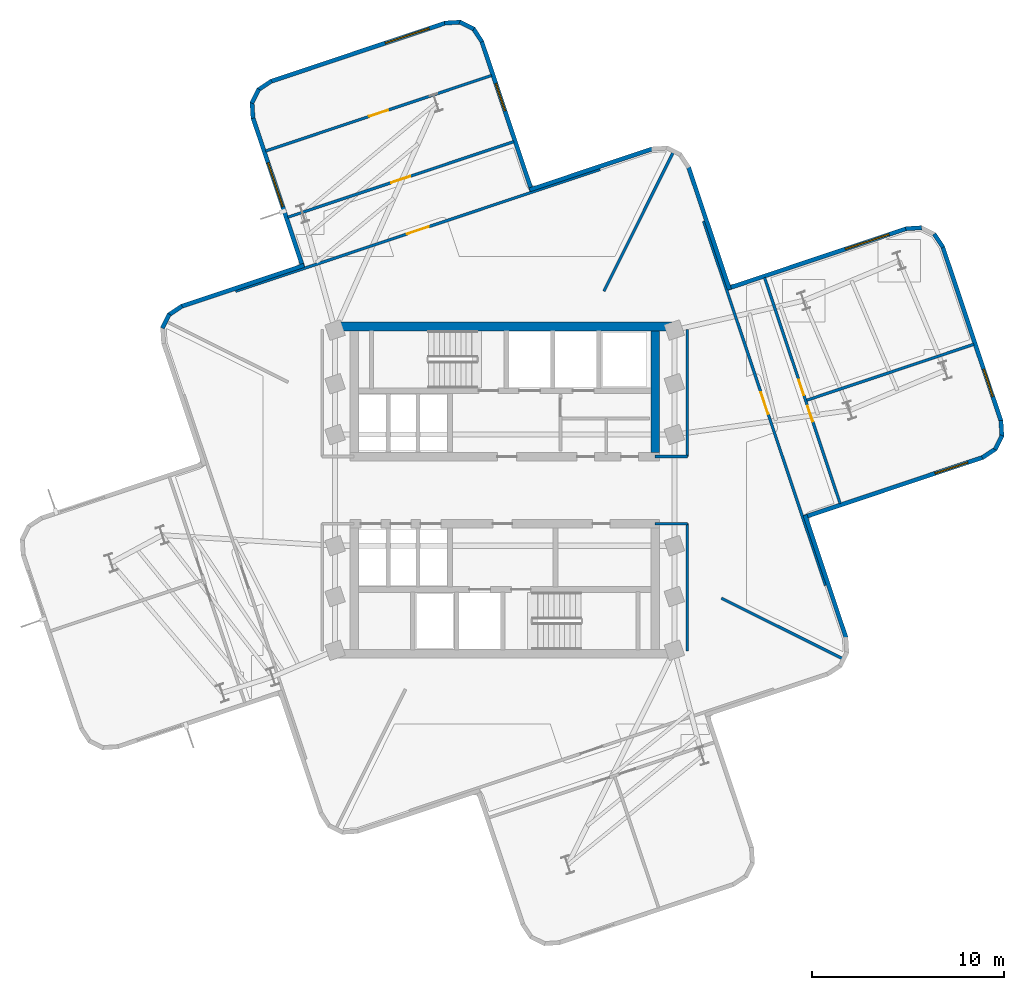
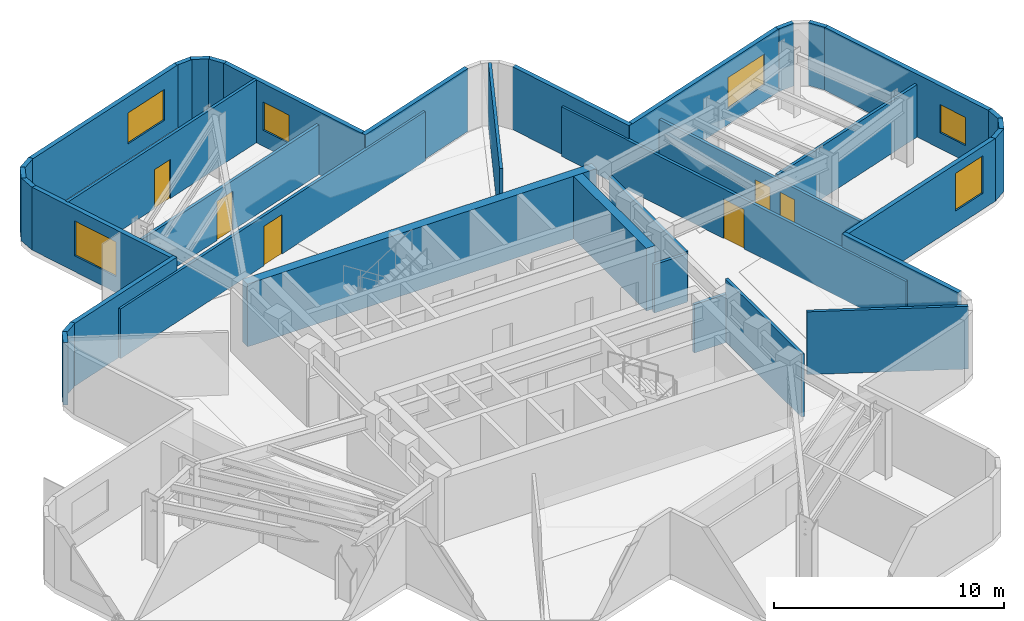
# One storey, part 4 of 8: 37 walls, 6 doors, 6 windows, 12 openings.
"""IFC4 building model written with IfcOpenShell, lengths in metres."""

from ifc_helpers import new_model, si_unit, direction, frame, frame_2d, origin, place, context, subcontext, project, spatial, rectangle, extrude, material, layer, layer_set, type_object, element, fill, save


model = new_model("IFC4")

# Units and contexts
model_context = context("Model", 3, precision=1e-05, world=origin(), true_north=direction((0.0, 1.0)))
body_context = subcontext(model_context, "Body", "Model", "MODEL_VIEW")
ifc_project = project(units=[si_unit("LENGTHUNIT", "METRE"), si_unit("AREAUNIT", "SQUARE_METRE"), si_unit("VOLUMEUNIT", "CUBIC_METRE"), si_unit("PLANEANGLEUNIT", "RADIAN"), si_unit("MASSUNIT", "GRAM", prefix="KILO")], contexts=[model_context])

# Site, building, storey
site_placement = place(None, origin())
site = spatial("IfcSite", under=ifc_project, at=site_placement, CompositionType="ELEMENT")
building_placement = place(site_placement, origin())
building = spatial("IfcBuilding", under=site, at=building_placement, Name="Solmarez Civic Tower", CompositionType="ELEMENT")
storey_placement = place(building_placement, frame((0.0, 0.0, 159.47998046875)))
storey = spatial("IfcBuildingStorey", under=building, at=storey_placement, Name="L42", CompositionType="ELEMENT", Elevation=159.47998046875)

# Walls
ifc_material_1 = material(Name="Concrete C50/60", Category="concrete")
ifc_layer_1 = layer(ifc_material_1, 0.449951171875)
ifc_layer_set_1 = layer_set([ifc_layer_1], Name="Concrete C50/60")
wall_type_1 = type_object("IfcWallType", Name="WALL-CORE-450", PredefinedType="SHEAR", material=ifc_layer_set_1)
wall_1_placement = place(storey_placement, frame((-8.780029296875, 8.534912109375, 0.0), z_axis=(0.0, 0.0, 1.0), x_axis=(1.0, 0.0, 0.0)))
element("IfcWall", 1, at=wall_1_placement, inside=storey, type_object=wall_type_1, Name="L42 Split-Core Structural Wall NCW-N-L42", PredefinedType="SHEAR", context=body_context, shape_type="SweptSolid", body=[
    extrude(rectangle(XDim=17.56005859375, YDim=0.449951171875, at=frame_2d((8.780029296875, 0.0))), origin(), (0.0, 0.0, 1.0), 3.340087890625),
])
wall_2_placement = place(storey_placement, frame((7.844970703125, 8.31005859375, 0.0), z_axis=(0.0, 0.0, 1.0), x_axis=(0.0, -1.0, 0.0)))
element("IfcWall", 2, at=wall_2_placement, inside=storey, type_object=wall_type_1, Name="L42 Split-Core Structural Wall NCW-E-L42", PredefinedType="SHEAR", context=body_context, shape_type="SweptSolid", body=[
    extrude(rectangle(XDim=6.3349609375, YDim=0.449951171875, at=frame_2d((3.16748046875, 0.0))), origin(), (0.0, 0.0, 1.0), 3.340087890625),
])
ifc_material_2 = material(Name="Precast concrete C40/50", Category="concrete")
ifc_layer_2 = layer(ifc_material_2, 0.219970703125)
ifc_layer_set_2 = layer_set([ifc_layer_2], Name="Precast concrete C40/50")
wall_type_2 = type_object("IfcWallType", Name="WALL-EXT-220", PredefinedType="SOLIDWALL", material=ifc_layer_set_2)
wall_3_placement = place(storey_placement, frame((-17.85693359375, 8.446044921875, 0.0), z_axis=(0.0, 0.0, 1.0), x_axis=(0.446258139106, 0.894904281631, 0.0)))
element("IfcWall", 3, at=wall_3_placement, inside=storey, type_object=wall_type_2, Name="L42 Exterior Precast Wall 15", PredefinedType="SOLIDWALL", context=body_context, shape_type="SweptSolid", body=[
    extrude(rectangle(XDim=0.81787109375, YDim=0.219970703125, at=frame_2d((0.408935546875, 0.0))), origin(), (0.0, 0.0, 1.0), 3.340087890625),
])
wall_4_placement = place(storey_placement, frame((-17.52392578125, 9.14208984375, 0.0), z_axis=(0.0, 0.0, 1.0), x_axis=(0.833756011094, 0.552133058206, 0.0)))
element("IfcWall", 4, at=wall_4_placement, inside=storey, type_object=wall_type_2, Name="L42 Exterior Precast Wall 16", PredefinedType="SOLIDWALL", context=body_context, shape_type="SweptSolid", body=[
    extrude(rectangle(XDim=0.834716796875, YDim=0.219970703125, at=frame_2d((0.41748046875, 0.0))), origin(), (0.0, 0.0, 1.0), 3.340087890625),
])
wall_5_placement = place(storey_placement, frame((-16.873046875, 9.5810546875, 0.0), z_axis=(0.0, 0.0, 1.0), x_axis=(0.94829606055, 0.317387116224, 0.0)))
element("IfcWall", 5, at=wall_5_placement, inside=storey, type_object=wall_type_2, Name="L42 Exterior Precast Wall 17", PredefinedType="SOLIDWALL", context=body_context, shape_type="SweptSolid", body=[
    extrude(rectangle(XDim=6.75830078125, YDim=0.219970703125, at=frame_2d((3.379150390625, 0.0))), origin(), (0.0, 0.0, 1.0), 3.340087890625),
])

# Wall, opening, window
wall_6_placement = place(storey_placement, frame((-10.51904296875, 11.614990234375, 0.0), z_axis=(0.0, 0.0, 1.0), x_axis=(-0.317229741122, 0.948348718219, 0.0)))
wall_6 = element("IfcWall", 6, at=wall_6_placement, inside=storey, type_object=wall_type_2, Name="L42 Exterior Precast Wall 20", PredefinedType="SOLIDWALL", context=body_context, shape_type="SweptSolid", body=[
    extrude(rectangle(XDim=8.258544921875, YDim=0.219970703125, at=frame_2d((4.12939453125, 0.0))), origin(), (0.0, 0.0, 1.0), 3.340087890625),
])
opening_1_placement = place(wall_6_placement, frame((3.35009765625, 0.0, 0.85009765625)))
opening_1 = element("IfcOpeningElement", 7, at=opening_1_placement, cuts=wall_6, Name="Opening W-06", PredefinedType="OPENING", context=body_context, shape_type="SweptSolid", body=[
    extrude(rectangle(XDim=2.39990234375, YDim=1.85009765625, at=frame_2d((1.199951171875, 0.925048828125))), frame((0.0, 0.119873046875, 0.0), z_axis=(0.0, -1.0, 0.0), x_axis=(1.0, 0.0, 0.0)), (0.0, 0.0, 1.0), 0.239990234375),
])
ifc_material_3 = material(Name="Solar Control Bronze-Tinted Insulating Glass", Category="glass")
window_type_1 = type_object("IfcWindowType", Name="WIN-2400X1850", PartitioningType="SINGLE_PANEL", PredefinedType="WINDOW", material=ifc_material_3)
window_1_placement = place(opening_1_placement, origin())
window_1 = element("IfcWindow", 8, at=window_1_placement, inside=storey, type_object=window_type_1, Name="L42 Exterior Facade Window 20", OverallHeight=1.85009765625, OverallWidth=2.39990234375, PartitioningType="SINGLE_PANEL", PredefinedType="WINDOW", context=body_context, shape_type="SweptSolid", body=[
    extrude(rectangle(XDim=2.39990234375, YDim=1.85009765625, at=frame_2d((1.199951171875, 0.925048828125))), frame((0.0, 0.030029296875, 0.0), z_axis=(0.0, -1.0, 0.0), x_axis=(1.0, 0.0, 0.0)), (0.0, 0.0, 1.0), 0.06005859375),
])
fill(opening_1, window_1)

# Walls
wall_7_placement = place(storey_placement, frame((-13.12890625, 19.39794921875, 0.0), z_axis=(0.0, 0.0, 1.0), x_axis=(-0.062378286155, 0.998052578483, 0.0)))
element("IfcWall", 9, at=wall_7_placement, inside=storey, type_object=wall_type_2, Name="L42 Exterior Precast Wall 21", PredefinedType="SOLIDWALL", context=body_context, shape_type="SweptSolid", body=[
    extrude(rectangle(XDim=0.833740234375, YDim=0.219970703125, at=frame_2d((0.4169921875, 0.0))), origin(), (0.0, 0.0, 1.0), 3.340087890625),
])
wall_8_placement = place(storey_placement, frame((-13.18994140625, 20.18310546875, 0.0), z_axis=(0.0, 0.0, 1.0), x_axis=(0.445781750405, 0.895141682085, 0.0)))
element("IfcWall", 10, at=wall_8_placement, inside=storey, type_object=wall_type_2, Name="L42 Exterior Precast Wall 22", PredefinedType="SOLIDWALL", context=body_context, shape_type="SweptSolid", body=[
    extrude(rectangle(XDim=0.81884765625, YDim=0.219970703125, at=frame_2d((0.409423828125, 0.0))), origin(), (0.0, 0.0, 1.0), 3.340087890625),
])
wall_9_placement = place(storey_placement, frame((-12.85693359375, 20.8798828125, 0.0), z_axis=(0.0, 0.0, 1.0), x_axis=(0.833621383437, 0.552336300706, 0.0)))
element("IfcWall", 11, at=wall_9_placement, inside=storey, type_object=wall_type_2, Name="L42 Exterior Precast Wall 23", PredefinedType="SOLIDWALL", context=body_context, shape_type="SweptSolid", body=[
    extrude(rectangle(XDim=0.8349609375, YDim=0.219970703125, at=frame_2d((0.41748046875, 0.0))), origin(), (0.0, 0.0, 1.0), 3.340087890625),
])

# Wall, opening, window
wall_10_placement = place(storey_placement, frame((-12.2060546875, 21.319091796875, 0.0), z_axis=(0.0, 0.0, 1.0), x_axis=(0.94831980895, 0.317316151421, 0.0)))
wall_10 = element("IfcWall", 12, at=wall_10_placement, inside=storey, type_object=wall_type_2, Name="L42 Exterior Precast Wall 24", PredefinedType="SOLIDWALL", context=body_context, shape_type="SweptSolid", body=[
    extrude(rectangle(XDim=9.621337890625, YDim=0.219970703125, at=frame_2d((4.810546875, 0.0))), origin(), (0.0, 0.0, 1.0), 3.340087890625),
])
opening_2_placement = place(wall_10_placement, frame((6.304931640625, 0.0, 0.85009765625)))
opening_2 = element("IfcOpeningElement", 13, at=opening_2_placement, cuts=wall_10, Name="Opening W-10", PredefinedType="OPENING", context=body_context, shape_type="SweptSolid", body=[
    extrude(rectangle(XDim=2.39990234375, YDim=1.64990234375, at=frame_2d((1.199951171875, 0.824951171875))), frame((0.0, 0.119873046875, 0.0), z_axis=(0.0, -1.0, 0.0), x_axis=(1.0, 0.0, 0.0)), (0.0, 0.0, 1.0), 0.239990234375),
])
window_type_2 = type_object("IfcWindowType", Name="WIN-2400X1650", PartitioningType="SINGLE_PANEL", PredefinedType="WINDOW", material=ifc_material_3)
window_2_placement = place(opening_2_placement, origin())
window_2 = element("IfcWindow", 14, at=window_2_placement, inside=storey, type_object=window_type_2, Name="L42 Exterior Facade Window 24", OverallHeight=1.64990234375, OverallWidth=2.39990234375, PartitioningType="SINGLE_PANEL", PredefinedType="WINDOW", context=body_context, shape_type="SweptSolid", body=[
    extrude(rectangle(XDim=2.39990234375, YDim=1.64990234375, at=frame_2d((1.199951171875, 0.824951171875))), frame((0.0, 0.030029296875, 0.0), z_axis=(0.0, -1.0, 0.0), x_axis=(1.0, 0.0, 0.0)), (0.0, 0.0, 1.0), 0.06005859375),
])
fill(opening_2, window_2)

# Walls
wall_11_placement = place(storey_placement, frame((-3.131103515625, 24.363037109375, 0.0), z_axis=(0.0, 0.0, 1.0), x_axis=(0.998269325078, 0.05880777677, 0.0)))
element("IfcWall", 15, at=wall_11_placement, inside=storey, type_object=wall_type_2, Name="L42 Exterior Precast Wall 25", PredefinedType="SOLIDWALL", context=body_context, shape_type="SweptSolid", body=[
    extrude(rectangle(XDim=0.83447265625, YDim=0.219970703125, at=frame_2d((0.417236328125, 0.0))), origin(), (0.0, 0.0, 1.0), 3.340087890625),
])
wall_12_placement = place(storey_placement, frame((-2.344970703125, 24.422119140625, 0.0), z_axis=(0.0, 0.0, 1.0), x_axis=(0.895022680219, -0.446020629449, 0.0)))
element("IfcWall", 16, at=wall_12_placement, inside=storey, type_object=wall_type_2, Name="L42 Exterior Precast Wall 26", PredefinedType="SOLIDWALL", context=body_context, shape_type="SweptSolid", body=[
    extrude(rectangle(XDim=0.81884765625, YDim=0.219970703125, at=frame_2d((0.409423828125, 0.0))), origin(), (0.0, 0.0, 1.0), 3.340087890625),
])
wall_13_placement = place(storey_placement, frame((-1.64794921875, 24.089111328125, 0.0), z_axis=(0.0, 0.0, 1.0), x_axis=(0.551319103184, -0.834294460286, 0.0)))
element("IfcWall", 17, at=wall_13_placement, inside=storey, type_object=wall_type_2, Name="L42 Exterior Precast Wall 27", PredefinedType="SOLIDWALL", context=body_context, shape_type="SweptSolid", body=[
    extrude(rectangle(XDim=0.834228515625, YDim=0.219970703125, at=frame_2d((0.4169921875, 0.0))), origin(), (0.0, 0.0, 1.0), 3.340087890625),
])

# Wall, opening, window
wall_14_placement = place(storey_placement, frame((-1.2099609375, 23.43798828125, 0.0), z_axis=(0.0, 0.0, 1.0), x_axis=(0.317371670522, -0.948301229963, 0.0)))
wall_14 = element("IfcWall", 18, at=wall_14_placement, inside=storey, type_object=wall_type_2, Name="L42 Exterior Precast Wall 28", PredefinedType="SOLIDWALL", context=body_context, shape_type="SweptSolid", body=[
    extrude(rectangle(XDim=8.258056640625, YDim=0.219970703125, at=frame_2d((4.12890625, 0.0))), origin(), (0.0, 0.0, 1.0), 3.340087890625),
])
opening_3_placement = place(wall_14_placement, frame((2.35009765625, 0.0, 0.85009765625)))
opening_3 = element("IfcOpeningElement", 19, at=opening_3_placement, cuts=wall_14, Name="Opening W-14", PredefinedType="OPENING", context=body_context, shape_type="SweptSolid", body=[
    extrude(rectangle(XDim=1.5, YDim=1.5, at=frame_2d((0.75, 0.75))), frame((0.0, 0.119873046875, 0.0), z_axis=(0.0, -1.0, 0.0), x_axis=(1.0, 0.0, 0.0)), (0.0, 0.0, 1.0), 0.239990234375),
])
window_type_3 = type_object("IfcWindowType", Name="WIN-1500X1500", PartitioningType="SINGLE_PANEL", PredefinedType="WINDOW", material=ifc_material_3)
window_3_placement = place(opening_3_placement, origin())
window_3 = element("IfcWindow", 20, at=window_3_placement, inside=storey, type_object=window_type_3, Name="L42 Exterior Facade Window 28", OverallHeight=1.5, OverallWidth=1.5, PartitioningType="SINGLE_PANEL", PredefinedType="WINDOW", context=body_context, shape_type="SweptSolid", body=[
    extrude(rectangle(XDim=1.5, YDim=1.5, at=frame_2d((0.75, 0.75))), frame((0.0, 0.030029296875, 0.0), z_axis=(0.0, -1.0, 0.0), x_axis=(1.0, 0.0, 0.0)), (0.0, 0.0, 1.0), 0.06005859375),
])
fill(opening_3, window_3)

# Walls
wall_15_placement = place(storey_placement, frame((1.300048828125, 15.662109375, 0.0), z_axis=(0.0, 0.0, 1.0), x_axis=(0.948350412494, 0.317224676093, 0.0)))
element("IfcWall", 21, at=wall_15_placement, inside=storey, type_object=wall_type_2, Name="L42 Exterior Precast Wall 31", PredefinedType="SOLIDWALL", context=body_context, shape_type="SweptSolid", body=[
    extrude(rectangle(XDim=6.758056640625, YDim=0.219970703125, at=frame_2d((3.37890625, 0.0))), origin(), (0.0, 0.0, 1.0), 3.340087890625),
])
wall_16_placement = place(storey_placement, frame((9.5810546875, 16.873046875, 0.0), z_axis=(0.0, 0.0, 1.0), x_axis=(0.317387116224, -0.94829606055, 0.0)))
element("IfcWall", 22, at=wall_16_placement, inside=storey, type_object=wall_type_2, Name="L42 Exterior Precast Wall 35", PredefinedType="SOLIDWALL", context=body_context, shape_type="SweptSolid", body=[
    extrude(rectangle(XDim=6.75830078125, YDim=0.219970703125, at=frame_2d((3.379150390625, 0.0))), origin(), (0.0, 0.0, 1.0), 3.340087890625),
])

# Wall, opening, window
wall_17_placement = place(storey_placement, frame((11.614990234375, 10.51904296875, 0.0), z_axis=(0.0, 0.0, 1.0), x_axis=(0.948331055834, 0.317282537404, 0.0)))
wall_17 = element("IfcWall", 23, at=wall_17_placement, inside=storey, type_object=wall_type_2, Name="L42 Exterior Precast Wall 38", PredefinedType="SOLIDWALL", context=body_context, shape_type="SweptSolid", body=[
    extrude(rectangle(XDim=9.8583984375, YDim=0.219970703125, at=frame_2d((4.92919921875, 0.0))), origin(), (0.0, 0.0, 1.0), 3.340087890625),
])
opening_4_placement = place(wall_17_placement, frame((6.489990234375, 0.0, 0.85009765625)))
opening_4 = element("IfcOpeningElement", 24, at=opening_4_placement, cuts=wall_17, Name="Opening W-10", PredefinedType="OPENING", context=body_context, shape_type="SweptSolid", body=[
    extrude(rectangle(XDim=2.39990234375, YDim=1.64990234375, at=frame_2d((1.199951171875, 0.824951171875))), frame((0.0, 0.119873046875, 0.0), z_axis=(0.0, -1.0, 0.0), x_axis=(1.0, 0.0, 0.0)), (0.0, 0.0, 1.0), 0.239990234375),
])
window_4_placement = place(opening_4_placement, origin())
window_4 = element("IfcWindow", 25, at=window_4_placement, inside=storey, type_object=window_type_2, Name="L42 Exterior Facade Window 38", OverallHeight=1.64990234375, OverallWidth=2.39990234375, PartitioningType="SINGLE_PANEL", PredefinedType="WINDOW", context=body_context, shape_type="SweptSolid", body=[
    extrude(rectangle(XDim=2.39990234375, YDim=1.64990234375, at=frame_2d((1.199951171875, 0.824951171875))), frame((0.0, 0.030029296875, 0.0), z_axis=(0.0, -1.0, 0.0), x_axis=(1.0, 0.0, 0.0)), (0.0, 0.0, 1.0), 0.06005859375),
])
fill(opening_4, window_4)

# Walls
for number, where, z_axis, x_axis, name in (
    (26, (20.9150390625, 13.636962890625, 0.0), (0.0, 0.0, 1.0), (0.998057128569, 0.062305442082, 0.0), "L42 Exterior Precast Wall 39"),
    (27, (22.39697265625, 13.364990234375, 0.0), (0.0, 0.0, 1.0), (0.552133058206, -0.833756011094, 0.0), "L42 Exterior Precast Wall 41"),
):
    element("IfcWall", number, at=place(storey_placement, frame(where, z_axis=z_axis, x_axis=x_axis)), inside=storey, type_object=wall_type_2, Name=name, PredefinedType="SOLIDWALL", context=body_context, shape_type="SweptSolid", body=[
        extrude(rectangle(XDim=0.834716796875, YDim=0.219970703125, at=frame_2d((0.41748046875, 0.0))), origin(), (0.0, 0.0, 1.0), 3.340087890625),
    ])

# Wall, opening, window
wall_18_placement = place(storey_placement, frame((22.8359375, 12.714111328125, 0.0), z_axis=(0.0, 0.0, 1.0), x_axis=(0.317285610931, -0.94833002752, 0.0)))
wall_18 = element("IfcWall", 28, at=wall_18_placement, inside=storey, type_object=wall_type_2, Name="L42 Exterior Precast Wall 42", PredefinedType="SOLIDWALL", context=body_context, shape_type="SweptSolid", body=[
    extrude(rectangle(XDim=9.6220703125, YDim=0.219970703125, at=frame_2d((4.81103515625, 0.0))), origin(), (0.0, 0.0, 1.0), 3.340087890625),
])
opening_5_placement = place(wall_18_placement, frame((6.7548828125, 0.0, 0.85009765625)))
opening_5 = element("IfcOpeningElement", 29, at=opening_5_placement, cuts=wall_18, Name="Opening W-14", PredefinedType="OPENING", context=body_context, shape_type="SweptSolid", body=[
    extrude(rectangle(XDim=1.5, YDim=1.5, at=frame_2d((0.75, 0.75))), frame((0.0, 0.119873046875, 0.0), z_axis=(0.0, -1.0, 0.0), x_axis=(1.0, 0.0, 0.0)), (0.0, 0.0, 1.0), 0.239990234375),
])
window_5_placement = place(opening_5_placement, origin())
window_5 = element("IfcWindow", 30, at=window_5_placement, inside=storey, type_object=window_type_3, Name="L42 Exterior Facade Window 42", OverallHeight=1.5, OverallWidth=1.5, PartitioningType="SINGLE_PANEL", PredefinedType="WINDOW", context=body_context, shape_type="SweptSolid", body=[
    extrude(rectangle(XDim=1.5, YDim=1.5, at=frame_2d((0.75, 0.75))), frame((0.0, 0.030029296875, 0.0), z_axis=(0.0, -1.0, 0.0), x_axis=(1.0, 0.0, 0.0)), (0.0, 0.0, 1.0), 0.06005859375),
])
fill(opening_5, window_5)

# Walls
wall_19_placement = place(storey_placement, frame((25.87890625, 3.637939453125, 0.0), z_axis=(0.0, 0.0, 1.0), x_axis=(0.062378286155, -0.998052578483, 0.0)))
element("IfcWall", 31, at=wall_19_placement, inside=storey, type_object=wall_type_2, Name="L42 Exterior Precast Wall 43", PredefinedType="SOLIDWALL", context=body_context, shape_type="SweptSolid", body=[
    extrude(rectangle(XDim=0.833740234375, YDim=0.219970703125, at=frame_2d((0.4169921875, 0.0))), origin(), (0.0, 0.0, 1.0), 3.340087890625),
])
wall_20_placement = place(storey_placement, frame((25.93994140625, 2.85302734375, 0.0), z_axis=(0.0, 0.0, 1.0), x_axis=(-0.445781750405, -0.895141682085, 0.0)))
element("IfcWall", 32, at=wall_20_placement, inside=storey, type_object=wall_type_2, Name="L42 Exterior Precast Wall 44", PredefinedType="SOLIDWALL", context=body_context, shape_type="SweptSolid", body=[
    extrude(rectangle(XDim=0.81884765625, YDim=0.219970703125, at=frame_2d((0.409423828125, 0.0))), origin(), (0.0, 0.0, 1.0), 3.340087890625),
])
wall_21_placement = place(storey_placement, frame((25.60693359375, 2.156005859375, 0.0), z_axis=(0.0, 0.0, 1.0), x_axis=(-0.833756011094, -0.552133058206, 0.0)))
element("IfcWall", 33, at=wall_21_placement, inside=storey, type_object=wall_type_2, Name="L42 Exterior Precast Wall 45", PredefinedType="SOLIDWALL", context=body_context, shape_type="SweptSolid", body=[
    extrude(rectangle(XDim=0.834716796875, YDim=0.219970703125, at=frame_2d((0.41748046875, 0.0))), origin(), (0.0, 0.0, 1.0), 3.340087890625),
])

# Wall, opening, window
wall_22_placement = place(storey_placement, frame((24.9560546875, 1.717041015625, 0.0), z_axis=(0.0, 0.0, 1.0), x_axis=(-0.948331055834, -0.317282537404, 0.0)))
wall_22 = element("IfcWall", 34, at=wall_22_placement, inside=storey, type_object=wall_type_2, Name="L42 Exterior Precast Wall 46", PredefinedType="SOLIDWALL", context=body_context, shape_type="SweptSolid", body=[
    extrude(rectangle(XDim=9.8583984375, YDim=0.219970703125, at=frame_2d((4.92919921875, 0.0))), origin(), (0.0, 0.0, 1.0), 3.340087890625),
])
opening_6_placement = place(wall_22_placement, frame((0.85009765625, 0.0, 0.85009765625)))
opening_6 = element("IfcOpeningElement", 35, at=opening_6_placement, cuts=wall_22, Name="Opening W-04", PredefinedType="OPENING", context=body_context, shape_type="SweptSolid", body=[
    extrude(rectangle(XDim=1.800048828125, YDim=2.0, at=frame_2d((0.89990234375, 1.0))), frame((0.0, 0.119873046875, 0.0), z_axis=(0.0, -1.0, 0.0), x_axis=(1.0, 0.0, 0.0)), (0.0, 0.0, 1.0), 0.239990234375),
])
window_type_4 = type_object("IfcWindowType", Name="WIN-1800X2000", PartitioningType="SINGLE_PANEL", PredefinedType="WINDOW", material=ifc_material_3)
window_6_placement = place(opening_6_placement, origin())
window_6 = element("IfcWindow", 36, at=window_6_placement, inside=storey, type_object=window_type_4, Name="L42 Exterior Facade Window 46", OverallHeight=2.0, OverallWidth=1.800048828125, PartitioningType="SINGLE_PANEL", PredefinedType="WINDOW", context=body_context, shape_type="SweptSolid", body=[
    extrude(rectangle(XDim=1.800048828125, YDim=2.0, at=frame_2d((0.89990234375, 1.0))), frame((0.0, 0.030029296875, 0.0), z_axis=(0.0, -1.0, 0.0), x_axis=(1.0, 0.0, 0.0)), (0.0, 0.0, 1.0), 0.06005859375),
])
fill(opening_6, window_6)

# Walls
wall_23_placement = place(storey_placement, frame((15.662109375, -1.300048828125, 0.0), z_axis=(0.0, 0.0, 1.0), x_axis=(0.317224676093, -0.948350412494, 0.0)))
element("IfcWall", 37, at=wall_23_placement, inside=storey, type_object=wall_type_2, Name="L42 Exterior Precast Wall 49", PredefinedType="SOLIDWALL", context=body_context, shape_type="SweptSolid", body=[
    extrude(rectangle(XDim=6.758056640625, YDim=0.219970703125, at=frame_2d((3.37890625, 0.0))), origin(), (0.0, 0.0, 1.0), 3.340087890625),
])
ifc_material_4 = material(Name="Gypsum Board Acoustic Steel-Stud Partition", Category="steel")
ifc_layer_3 = layer(ifc_material_4, 0.14990234375)
ifc_layer_set_3 = layer_set([ifc_layer_3], Name="Gypsum Board Acoustic Steel-Stud Partition")
wall_type_3 = type_object("IfcWallType", Name="WALL-INT-FIRE-150", PredefinedType="PARTITIONING", material=ifc_layer_set_3)
wall_24_placement = place(storey_placement, frame((9.52001953125, 1.75, 0.0), z_axis=(0.0, 0.0, 1.0), x_axis=(0.0, 1.0, 0.0)))
element("IfcWall", 38, at=wall_24_placement, inside=storey, type_object=wall_type_3, Name="L42 Interior Partition CHW-L42-EN1", PredefinedType="PARTITIONING", context=body_context, shape_type="SweptSolid", body=[
    extrude(rectangle(XDim=6.6298828125, YDim=0.14990234375, at=frame_2d((3.31494140625, 0.0))), origin(), (0.0, 0.0, 1.0), 2.64404296875),
])
wall_25_placement = place(storey_placement, frame((7.85009765625, 1.75, 0.0), z_axis=(0.0, 0.0, 1.0), x_axis=(1.0, 0.0, 0.0)))
element("IfcWall", 39, at=wall_25_placement, inside=storey, type_object=wall_type_3, Name="L42 Interior Partition CHW-L42-EN3", PredefinedType="PARTITIONING", context=body_context, shape_type="SweptSolid", body=[
    extrude(rectangle(XDim=1.669921875, YDim=0.14990234375, at=frame_2d((0.8349609375, 0.0))), origin(), (0.0, 0.0, 1.0), 2.570068359375),
])
wall_26_placement = place(storey_placement, frame((9.52001953125, -8.3798828125, 0.0), z_axis=(0.0, 0.0, 1.0), x_axis=(0.0, 1.0, 0.0)))
element("IfcWall", 40, at=wall_26_placement, inside=storey, type_object=wall_type_3, Name="L42 Interior Partition CHW-L42-ES1", PredefinedType="PARTITIONING", context=body_context, shape_type="SweptSolid", body=[
    extrude(rectangle(XDim=6.6298828125, YDim=0.14990234375, at=frame_2d((3.31494140625, 0.0))), origin(), (0.0, 0.0, 1.0), 3.340087890625),
])
wall_27_placement = place(storey_placement, frame((7.85009765625, -1.75, 0.0), z_axis=(0.0, 0.0, 1.0), x_axis=(1.0, 0.0, 0.0)))
element("IfcWall", 41, at=wall_27_placement, inside=storey, type_object=wall_type_3, Name="L42 Interior Partition CHW-L42-ES3", PredefinedType="PARTITIONING", context=body_context, shape_type="SweptSolid", body=[
    extrude(rectangle(XDim=1.669921875, YDim=0.14990234375, at=frame_2d((0.8349609375, 0.0))), origin(), (0.0, 0.0, 1.0), 2.570068359375),
])
ifc_layer_4 = layer(ifc_material_4, 0.14501953125)
ifc_layer_set_4 = layer_set([ifc_layer_4], Name="Gypsum Board Acoustic Steel-Stud Partition")
wall_type_4 = type_object("IfcWallType", Name="WALL-INT-PART-150", PredefinedType="PARTITIONING", material=ifc_layer_set_4)
wall_28_placement = place(storey_placement, frame((5.176025390625, 10.3798828125, 0.0), z_axis=(0.0, 0.0, 1.0), x_axis=(0.446173290391, 0.894946587759, 0.0)))
element("IfcWall", 42, at=wall_28_placement, inside=storey, type_object=wall_type_4, Name="L42 Interior Partition PT-L42-QDIV-1", PredefinedType="PARTITIONING", context=body_context, shape_type="SweptSolid", body=[
    extrude(rectangle(XDim=8.075439453125, YDim=0.14501953125, at=frame_2d((4.03759765625, 0.0))), origin(), (0.0, 0.0, 1.0), 3.340087890625),
])
wall_29_placement = place(storey_placement, frame((11.300048828125, -5.634033203125, 0.0), z_axis=(0.0, 0.0, 1.0), x_axis=(0.894904738475, -0.446257222972, 0.0)))
element("IfcWall", 43, at=wall_29_placement, inside=storey, type_object=wall_type_4, Name="L42 Interior Partition PT-L42-QDIV-4", PredefinedType="PARTITIONING", context=body_context, shape_type="SweptSolid", body=[
    extrude(rectangle(XDim=7.047607421875, YDim=0.14501953125, at=frame_2d((3.52392578125, 0.0))), origin(), (0.0, 0.0, 1.0), 3.340087890625),
])

# Wall, opening, door
wall_30_placement = place(storey_placement, frame((10.3720703125, 14.037109375, 0.0), z_axis=(0.0, 0.0, 1.0), x_axis=(0.317298382655, -0.94832575435, 0.0)))
wall_30 = element("IfcWall", 44, at=wall_30_placement, inside=storey, type_object=wall_type_4, Name="L42 Interior Partition PT-L42-E-ENT", PredefinedType="PARTITIONING", context=body_context, shape_type="SweptSolid", body=[
    extrude(rectangle(XDim=20.040771484375, YDim=0.14501953125, at=frame_2d((10.0205078125, 0.0))), origin(), (0.0, 0.0, 1.0), 2.64404296875),
])
opening_7_placement = place(wall_30_placement, frame((9.419921875, 0.0, 0.0)))
opening_7 = element("IfcOpeningElement", 45, at=opening_7_placement, cuts=wall_30, Name="Opening D-11", PredefinedType="OPENING", context=body_context, shape_type="SweptSolid", body=[
    extrude(rectangle(XDim=1.199951171875, YDim=2.10009765625, at=frame_2d((0.60009765625, 1.050048828125))), frame((0.0, 0.08251953125, 0.0), z_axis=(0.0, -1.0, 0.0), x_axis=(1.0, 0.0, 0.0)), (0.0, 0.0, 1.0), 0.1650390625),
])
ifc_material_5 = material(Name="Glazed-Vision Acoustic Chamber Door", Category="wood")
door_type_1 = type_object("IfcDoorType", Name="DOOR-INT-1200", OperationType="NOTDEFINED", PredefinedType="DOOR", material=ifc_material_5)
door_1_placement = place(opening_7_placement, origin())
door_1 = element("IfcDoor", 46, at=door_1_placement, inside=storey, type_object=door_type_1, Name="L42 Tribunal Chamber Public Reception Room First East Door", OperationType="SINGLE_SWING_LEFT", OverallHeight=2.10009765625, OverallWidth=1.199951171875, PredefinedType="DOOR", context=body_context, shape_type="SweptSolid", body=[
    extrude(rectangle(XDim=1.199951171875, YDim=2.10009765625, at=frame_2d((0.60009765625, 1.050048828125))), frame((0.0, 0.02490234375, 0.0), z_axis=(0.0, -1.0, 0.0), x_axis=(1.0, 0.0, 0.0)), (0.0, 0.0, 1.0), 0.050048828125),
])
fill(opening_7, door_1)

# Wall
wall_31_placement = place(storey_placement, frame((15.7548828125, 4.69189453125, 0.0), z_axis=(0.0, 0.0, 1.0), x_axis=(0.94831322287, 0.317335833667, 0.0)))
element("IfcWall", 47, at=wall_31_placement, inside=storey, type_object=wall_type_4, Name="L42 Interior Partition PT-L42-E-TSP", PredefinedType="PARTITIONING", context=body_context, shape_type="SweptSolid", body=[
    extrude(rectangle(XDim=9.18603515625, YDim=0.14501953125, at=frame_2d((4.593017578125, 0.0))), origin(), (0.0, 0.0, 1.0), 2.79296875),
])

# Wall, openings, doors
wall_32_placement = place(storey_placement, frame((17.49609375, -0.699951171875, 0.0), z_axis=(0.0, 0.0, 1.0), x_axis=(-0.317299961245, 0.948325226172, 0.0)))
wall_32 = element("IfcWall", 48, at=wall_32_placement, inside=storey, type_object=wall_type_4, Name="L42 Interior Partition PT-L42-E-SCUT", PredefinedType="PARTITIONING", context=body_context, shape_type="SweptSolid", body=[
    extrude(rectangle(XDim=12.43017578125, YDim=0.14501953125, at=frame_2d((6.215087890625, 0.0))), origin(), (0.0, 0.0, 1.0), 2.64404296875),
])
opening_8_placement = place(wall_32_placement, frame((4.514892578125, 0.0, 0.0)))
opening_8 = element("IfcOpeningElement", 49, at=opening_8_placement, cuts=wall_32, Name="Opening D-14", PredefinedType="OPENING", context=body_context, shape_type="SweptSolid", body=[
    extrude(rectangle(XDim=0.860107421875, YDim=2.0400390625, at=frame_2d((0.43017578125, 1.02001953125))), frame((0.0, 0.08251953125, 0.0), z_axis=(0.0, -1.0, 0.0), x_axis=(1.0, 0.0, 0.0)), (0.0, 0.0, 1.0), 0.1650390625),
])
opening_9_placement = place(wall_32_placement, frame((5.955078125, 0.0, 0.0)))
opening_9 = element("IfcOpeningElement", 50, at=opening_9_placement, cuts=wall_32, Name="Opening D-14", PredefinedType="OPENING", context=body_context, shape_type="SweptSolid", body=[
    extrude(rectangle(XDim=0.860107421875, YDim=2.0400390625, at=frame_2d((0.43017578125, 1.02001953125))), frame((0.0, 0.08251953125, 0.0), z_axis=(0.0, -1.0, 0.0), x_axis=(1.0, 0.0, 0.0)), (0.0, 0.0, 1.0), 0.1650390625),
])
ifc_material_6 = material(Name="Timber Storage and Pantry Door", Category="wood")
door_type_2 = type_object("IfcDoorType", Name="DOOR-INT-850", OperationType="NOTDEFINED", PredefinedType="DOOR", material=ifc_material_6)
door_2_placement = place(opening_8_placement, origin())
door_2 = element("IfcDoor", 51, at=door_2_placement, inside=storey, type_object=door_type_2, Name="L42 Security Control Room Third East Door", OperationType="SINGLE_SWING_RIGHT", OverallHeight=2.0400390625, OverallWidth=0.860107421875, PredefinedType="DOOR", context=body_context, shape_type="SweptSolid", body=[
    extrude(rectangle(XDim=0.860107421875, YDim=2.0400390625, at=frame_2d((0.43017578125, 1.02001953125))), frame((0.0, 0.02490234375, 0.0), z_axis=(0.0, -1.0, 0.0), x_axis=(1.0, 0.0, 0.0)), (0.0, 0.0, 1.0), 0.050048828125),
])
fill(opening_8, door_2)
door_3_placement = place(opening_9_placement, origin())
door_3 = element("IfcDoor", 52, at=door_3_placement, inside=storey, type_object=door_type_2, Name="L42 Delegation Concierge Room Second East Door", OperationType="SINGLE_SWING_LEFT", OverallHeight=2.0400390625, OverallWidth=0.860107421875, PredefinedType="DOOR", context=body_context, shape_type="SweptSolid", body=[
    extrude(rectangle(XDim=0.860107421875, YDim=2.0400390625, at=frame_2d((0.43017578125, 1.02001953125))), frame((0.0, 0.02490234375, 0.0), z_axis=(0.0, -1.0, 0.0), x_axis=(1.0, 0.0, 0.0)), (0.0, 0.0, 1.0), 0.050048828125),
])
fill(opening_9, door_3)

# Wall, opening, door
wall_33_placement = place(storey_placement, frame((-14.037109375, 10.3720703125, 0.0), z_axis=(0.0, 0.0, 1.0), x_axis=(0.94832575435, 0.317298382655, 0.0)))
wall_33 = element("IfcWall", 53, at=wall_33_placement, inside=storey, type_object=wall_type_4, Name="L42 Interior Partition PT-L42-N-ENT", PredefinedType="PARTITIONING", context=body_context, shape_type="SweptSolid", body=[
    extrude(rectangle(XDim=20.040771484375, YDim=0.14501953125, at=frame_2d((10.0205078125, 0.0))), origin(), (0.0, 0.0, 1.0), 2.64404296875),
])
opening_10_placement = place(wall_33_placement, frame((9.419921875, 0.0, 0.0)))
opening_10 = element("IfcOpeningElement", 54, at=opening_10_placement, cuts=wall_33, Name="Opening D-11", PredefinedType="OPENING", context=body_context, shape_type="SweptSolid", body=[
    extrude(rectangle(XDim=1.199951171875, YDim=2.10009765625, at=frame_2d((0.60009765625, 1.050048828125))), frame((0.0, 0.08251953125, 0.0), z_axis=(0.0, -1.0, 0.0), x_axis=(1.0, 0.0, 0.0)), (0.0, 0.0, 1.0), 0.1650390625),
])
door_4_placement = place(opening_10_placement, origin())
door_4 = element("IfcDoor", 55, at=door_4_placement, inside=storey, type_object=door_type_1, Name="L42 Delegation Concierge Room First North Door", OperationType="SINGLE_SWING_LEFT", OverallHeight=2.10009765625, OverallWidth=1.199951171875, PredefinedType="DOOR", context=body_context, shape_type="SweptSolid", body=[
    extrude(rectangle(XDim=1.199951171875, YDim=2.10009765625, at=frame_2d((0.60009765625, 1.050048828125))), frame((0.0, 0.02490234375, 0.0), z_axis=(0.0, -1.0, 0.0), x_axis=(1.0, 0.0, 0.0)), (0.0, 0.0, 1.0), 0.050048828125),
])
fill(opening_10, door_4)

wall_34_placement = place(storey_placement, frame((-11.31689453125, 14.235107421875, 0.0), z_axis=(0.0, 0.0, 1.0), x_axis=(0.948331136084, 0.317282297544, 0.0)))
wall_34 = element("IfcWall", 56, at=wall_34_placement, inside=storey, type_object=wall_type_4, Name="L42 Interior Partition PT-L42-N-SC1", PredefinedType="PARTITIONING", context=body_context, shape_type="SweptSolid", body=[
    extrude(rectangle(XDim=12.43017578125, YDim=0.14501953125, at=frame_2d((6.215087890625, 0.0))), origin(), (0.0, 0.0, 1.0), 2.64404296875),
])
opening_11_placement = place(wall_34_placement, frame((5.68994140625, 0.0, 0.0)))
opening_11 = element("IfcOpeningElement", 57, at=opening_11_placement, cuts=wall_34, Name="Opening D-13", PredefinedType="OPENING", context=body_context, shape_type="SweptSolid", body=[
    extrude(rectangle(XDim=1.050048828125, YDim=2.080078125, at=frame_2d((0.52490234375, 1.0400390625))), frame((0.0, 0.08251953125, 0.0), z_axis=(0.0, -1.0, 0.0), x_axis=(1.0, 0.0, 0.0)), (0.0, 0.0, 1.0), 0.1650390625),
])
ifc_material_7 = material(Name="Timber Directorate Office Door", Category="wood")
door_type_3 = type_object("IfcDoorType", Name="DOOR-INT-1050", OperationType="NOTDEFINED", PredefinedType="DOOR", material=ifc_material_7)
door_5_placement = place(opening_11_placement, origin())
door_5 = element("IfcDoor", 58, at=door_5_placement, inside=storey, type_object=door_type_3, Name="L42 Security Control Room North Door", OperationType="SINGLE_SWING_LEFT", OverallHeight=2.080078125, OverallWidth=1.050048828125, PredefinedType="DOOR", context=body_context, shape_type="SweptSolid", body=[
    extrude(rectangle(XDim=1.050048828125, YDim=2.080078125, at=frame_2d((0.52490234375, 1.0400390625))), frame((0.0, 0.02490234375, 0.0), z_axis=(0.0, -1.0, 0.0), x_axis=(1.0, 0.0, 0.0)), (0.0, 0.0, 1.0), 0.050048828125),
])
fill(opening_11, door_5)

wall_35_placement = place(storey_placement, frame((-12.471923828125, 17.68701171875, 0.0), z_axis=(0.0, 0.0, 1.0), x_axis=(0.948325226172, 0.317299961245, 0.0)))
wall_35 = element("IfcWall", 59, at=wall_35_placement, inside=storey, type_object=wall_type_4, Name="L42 Interior Partition PT-L42-N-SC2", PredefinedType="PARTITIONING", context=body_context, shape_type="SweptSolid", body=[
    extrude(rectangle(XDim=12.43017578125, YDim=0.14501953125, at=frame_2d((6.215087890625, 0.0))), origin(), (0.0, 0.0, 1.0), 3.340087890625),
])
opening_12_placement = place(wall_35_placement, frame((5.68994140625, 0.0, 0.0)))
opening_12 = element("IfcOpeningElement", 60, at=opening_12_placement, cuts=wall_35, Name="Opening D-13", PredefinedType="OPENING", context=body_context, shape_type="SweptSolid", body=[
    extrude(rectangle(XDim=1.050048828125, YDim=2.080078125, at=frame_2d((0.52490234375, 1.0400390625))), frame((0.0, 0.08251953125, 0.0), z_axis=(0.0, -1.0, 0.0), x_axis=(1.0, 0.0, 0.0)), (0.0, 0.0, 1.0), 0.1650390625),
])
door_6_placement = place(opening_12_placement, origin())
door_6 = element("IfcDoor", 61, at=door_6_placement, inside=storey, type_object=door_type_3, Name="L42 Public Reception Room North Door", OperationType="SINGLE_SWING_RIGHT", OverallHeight=2.080078125, OverallWidth=1.050048828125, PredefinedType="DOOR", context=body_context, shape_type="SweptSolid", body=[
    extrude(rectangle(XDim=1.050048828125, YDim=2.080078125, at=frame_2d((0.52490234375, 1.0400390625))), frame((0.0, 0.02490234375, 0.0), z_axis=(0.0, -1.0, 0.0), x_axis=(1.0, 0.0, 0.0)), (0.0, 0.0, 1.0), 0.050048828125),
])
fill(opening_12, door_6)

save(model, "model.ifc")
